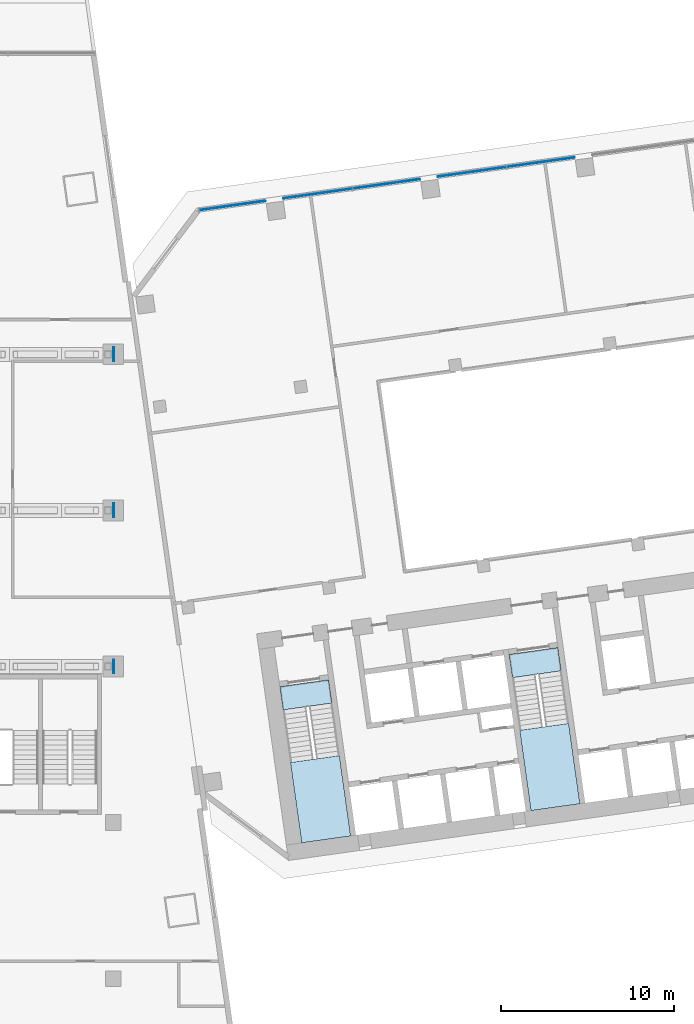
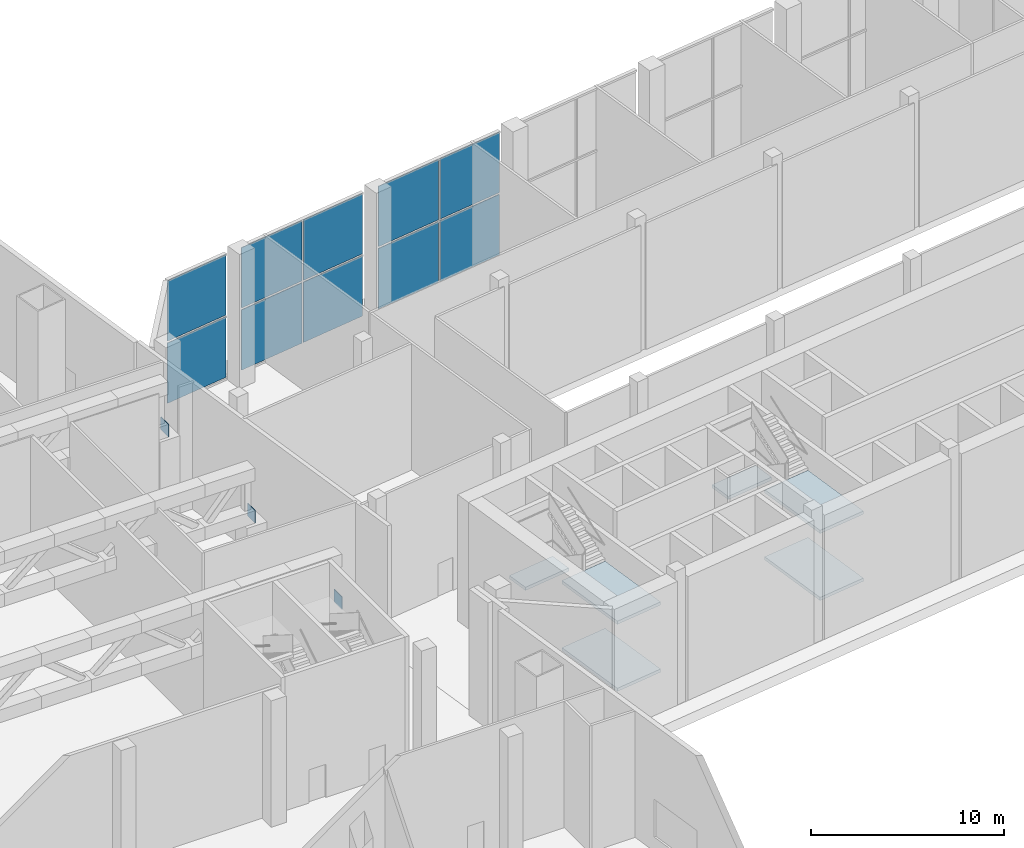
# One storey, part 15 of 31: 13 plates, 6 slabs, 3 elements without a shape of their own.
"""IFC4 building model written with IfcOpenShell, lengths in metres."""

from ifc_helpers import new_model, si_unit, direction, frame, origin, origin_2d, place, context, subcontext, project, spatial, polyline, rectangle, outline, extrude, material, layer, layer_set, type_object, element, aggregate, save


model = new_model("IFC4")

# Units and contexts
model_context = context("Model", 3, precision=1e-05, world=origin(), true_north=direction((0.0, 1.0)))
body_context = subcontext(model_context, "Body", "Model", "MODEL_VIEW")
ifc_project = project(units=[si_unit("LENGTHUNIT", "METRE"), si_unit("AREAUNIT", "SQUARE_METRE"), si_unit("VOLUMEUNIT", "CUBIC_METRE"), si_unit("PLANEANGLEUNIT", "RADIAN"), si_unit("MASSUNIT", "GRAM", prefix="KILO")], contexts=[model_context])

# Site, building, storey
site_placement = place(None, origin())
site = spatial("IfcSite", under=ifc_project, at=site_placement, CompositionType="ELEMENT")
building_placement = place(site_placement, origin())
building = spatial("IfcBuilding", under=site, at=building_placement, Name="Mirante Cascada Hotel Towers", CompositionType="ELEMENT")
storey_placement = place(building_placement, frame((0.0, 0.0, 9.0)))
storey = spatial("IfcBuildingStorey", under=building, at=storey_placement, Name="L01", CompositionType="ELEMENT", Elevation=9.0)

# Curtain wall, plates
ifc_material_1 = material(Name="Aluminium mullion and transom frame with clear laminated glass", Category="aluminium")
curtain_wall_type = type_object("IfcCurtainWallType", Name="Podium curtain wall ECW3", PredefinedType="NOTDEFINED", material=ifc_material_1)
curtain_wall_placement = place(storey_placement, origin())
curtain_wall = element("IfcCurtainWall", 1, at=curtain_wall_placement, inside=storey, type_object=curtain_wall_type, Name="Front podium glazing T2 L01", PredefinedType="NOTDEFINED")
ifc_material_2 = material(Name="Clear laminated glass", Category="glass")
ifc_layer_1 = layer(ifc_material_2, 0.04)
ifc_layer_set_1 = layer_set([ifc_layer_1], Name="ECW3 glass panel 40")
plate_type_1 = type_object("IfcPlateType", Name="ECW3 glass panel 40", PredefinedType="CURTAIN_PANEL", material=ifc_layer_set_1)
plate_1_placement = place(storey_placement, frame((51.6612, 20.0795, 0.12), z_axis=(0.0, 0.0, 1.0), x_axis=(-0.9902681, -0.1391731, 0.0)))
plate_1 = element("IfcPlate", 2, at=plate_1_placement, type_object=plate_type_1, Name="ECW3 panel 10", PredefinedType="CURTAIN_PANEL", context=body_context, shape_type="SweptSolid", body=[
    extrude(rectangle(XDim=3.9134, YDim=0.04, at=origin_2d()), origin(), (0.0, 0.0, 1.0), 3.82),
])
plate_2_placement = place(storey_placement, frame((51.6612, 20.0795, 4.06), z_axis=(0.0, 0.0, 1.0), x_axis=(-0.9902681, -0.1391731, 0.0)))
plate_2 = element("IfcPlate", 3, at=plate_2_placement, type_object=plate_type_1, Name="ECW3 panel 10", PredefinedType="CURTAIN_PANEL", context=body_context, shape_type="SweptSolid", body=[
    extrude(rectangle(XDim=3.9134, YDim=0.04, at=origin_2d()), origin(), (0.0, 0.0, 1.0), 3.82),
])
plate_3_placement = place(storey_placement, frame((47.6804, 19.5201, 0.12), z_axis=(0.0, 0.0, 1.0), x_axis=(-0.9902681, -0.1391731, 0.0)))
plate_3 = element("IfcPlate", 4, at=plate_3_placement, type_object=plate_type_1, Name="ECW3 panel 11", PredefinedType="CURTAIN_PANEL", context=body_context, shape_type="SweptSolid", body=[
    extrude(rectangle(XDim=3.9666, YDim=0.04, at=origin_2d()), origin(), (0.0, 0.0, 1.0), 3.82),
])
plate_4_placement = place(storey_placement, frame((47.6804, 19.5201, 4.06), z_axis=(0.0, 0.0, 1.0), x_axis=(-0.9902681, -0.1391731, 0.0)))
plate_4 = element("IfcPlate", 5, at=plate_4_placement, type_object=plate_type_1, Name="ECW3 panel 11", PredefinedType="CURTAIN_PANEL", context=body_context, shape_type="SweptSolid", body=[
    extrude(rectangle(XDim=3.9666, YDim=0.04, at=origin_2d()), origin(), (0.0, 0.0, 1.0), 3.82),
])
plate_5_placement = place(storey_placement, frame((42.7576, 18.8282, 0.12), z_axis=(0.0, 0.0, 1.0), x_axis=(-0.9902681, -0.1391731, 0.0)))
plate_5 = element("IfcPlate", 6, at=plate_5_placement, type_object=plate_type_1, Name="ECW3 panel 12", PredefinedType="CURTAIN_PANEL", context=body_context, shape_type="SweptSolid", body=[
    extrude(rectangle(XDim=3.8956, YDim=0.04, at=origin_2d()), origin(), (0.0, 0.0, 1.0), 3.82),
])
plate_6_placement = place(storey_placement, frame((42.7576, 18.8282, 4.06), z_axis=(0.0, 0.0, 1.0), x_axis=(-0.9902681, -0.1391731, 0.0)))
plate_6 = element("IfcPlate", 7, at=plate_6_placement, type_object=plate_type_1, Name="ECW3 panel 12", PredefinedType="CURTAIN_PANEL", context=body_context, shape_type="SweptSolid", body=[
    extrude(rectangle(XDim=3.8956, YDim=0.04, at=origin_2d()), origin(), (0.0, 0.0, 1.0), 3.82),
])
plate_7_placement = place(storey_placement, frame((38.7767, 18.2687, 0.12), z_axis=(0.0, 0.0, 1.0), x_axis=(-0.9902681, -0.1391731, 0.0)))
plate_7 = element("IfcPlate", 8, at=plate_7_placement, type_object=plate_type_1, Name="ECW3 panel 13", PredefinedType="CURTAIN_PANEL", context=body_context, shape_type="SweptSolid", body=[
    extrude(rectangle(XDim=3.9844, YDim=0.04, at=origin_2d()), origin(), (0.0, 0.0, 1.0), 3.82),
])
plate_8_placement = place(storey_placement, frame((38.7767, 18.2687, 4.06), z_axis=(0.0, 0.0, 1.0), x_axis=(-0.9902681, -0.1391731, 0.0)))
plate_8 = element("IfcPlate", 9, at=plate_8_placement, type_object=plate_type_1, Name="ECW3 panel 13", PredefinedType="CURTAIN_PANEL", context=body_context, shape_type="SweptSolid", body=[
    extrude(rectangle(XDim=3.9844, YDim=0.04, at=origin_2d()), origin(), (0.0, 0.0, 1.0), 3.82),
])
plate_9_placement = place(storey_placement, frame((33.8738, 17.5797, 0.12), z_axis=(0.0, 0.0, 1.0), x_axis=(-0.9902681, -0.1391731, 0.0)))
plate_9 = element("IfcPlate", 10, at=plate_9_placement, type_object=plate_type_1, Name="ECW3 panel 14", PredefinedType="CURTAIN_PANEL", context=body_context, shape_type="SweptSolid", body=[
    extrude(rectangle(XDim=3.8379, YDim=0.04, at=origin_2d()), origin(), (0.0, 0.0, 1.0), 3.82),
])
plate_10_placement = place(storey_placement, frame((33.8738, 17.5797, 4.06), z_axis=(0.0, 0.0, 1.0), x_axis=(-0.9902681, -0.1391731, 0.0)))
plate_10 = element("IfcPlate", 11, at=plate_10_placement, type_object=plate_type_1, Name="ECW3 panel 14", PredefinedType="CURTAIN_PANEL", context=body_context, shape_type="SweptSolid", body=[
    extrude(rectangle(XDim=3.8379, YDim=0.04, at=origin_2d()), origin(), (0.0, 0.0, 1.0), 3.82),
])
aggregate(curtain_wall, [plate_1, plate_2, plate_3, plate_4, plate_5, plate_6, plate_7, plate_8, plate_9, plate_10])

# Plates
ifc_material_3 = material(Name="Steel ASTM A572 Gr 50", Category="steel")
ifc_layer_2 = layer(ifc_material_3, 0.04)
ifc_layer_set_2 = layer_set([ifc_layer_2], Name="End plate 800x800x40 ASTM A572 Gr 50")
plate_type_2 = type_object("IfcPlateType", Name="End plate 800x800x40 ASTM A572 Gr 50", PredefinedType="SHEET", material=ifc_layer_set_2)
for number, where, z_axis, x_axis, name in (
    (12, (27.02, -9.0, 5.0), (0.0, 0.0, 1.0), (1.0, 0.0, 0.0), "End plate TB1"),
    (13, (27.02, 0.0, 5.0), (0.0, 0.0, 1.0), (1.0, 0.0, 0.0), "End plate TB2"),
    (14, (27.02, 9.0, 5.0), (0.0, 0.0, 1.0), (1.0, 0.0, 0.0), "End plate TB3"),
):
    element("IfcPlate", number, at=place(storey_placement, frame(where, z_axis=z_axis, x_axis=x_axis)), inside=storey, type_object=plate_type_2, Name=name, PredefinedType="SHEET", context=body_context, shape_type="SweptSolid", body=[
        extrude(rectangle(XDim=0.04, YDim=0.8, at=origin_2d()), origin(), (0.0, 0.0, 1.0), 0.8),
    ])

# Stair, slabs
ifc_material_4 = material(Name="Concrete C35/45", Category="concrete")
stair_type = type_object("IfcStairType", Name="Exit stair half-turn 1350 concrete C35/45", PredefinedType="HALF_TURN_STAIR", material=ifc_material_4)
stair_1_placement = place(storey_placement, origin())
stair_1 = element("IfcStair", 15, at=stair_1_placement, inside=storey, type_object=stair_type, Name="L01 Exit stair A", PredefinedType="HALF_TURN_STAIR")
ifc_material_5 = material(Name="Concrete C35/45", Category="concrete")
ifc_layer_3 = layer(ifc_material_5, 0.2)
ifc_layer_set_3 = layer_set([ifc_layer_3], Name="Exit stair landing 200 concrete C35/45")
slab_type = type_object("IfcSlabType", Name="Exit stair landing 200 concrete C35/45", PredefinedType="LANDING", material=ifc_layer_set_3)
slab_1_placement = place(storey_placement, frame((0.0, 0.0, 1.925)))
slab_1 = element("IfcSlab", 16, at=slab_1_placement, type_object=slab_type, Name="ST2-A landing 1", PredefinedType="LANDING", context=body_context, shape_type="SweptSolid", body=[
    extrude(outline(polyline([(37.2154, -14.5398), (37.8665, -19.1723), (40.6887, -18.7757), (40.0377, -14.1432), (37.2154, -14.5398)])), origin(), (0.0, 0.0, 1.0), 0.2),
])
slab_2_placement = place(storey_placement, frame((0.0, 0.0, 4.05)))
slab_2 = element("IfcSlab", 17, at=slab_2_placement, type_object=slab_type, Name="ST2-A landing 2", PredefinedType="LANDING", context=body_context, shape_type="SweptSolid", body=[
    extrude(outline(polyline([(36.6, -10.1609), (36.789, -11.5057), (39.6113, -11.109), (39.4223, -9.7642), (36.6, -10.1609)])), origin(), (0.0, 0.0, 1.0), 0.2),
])
slab_3_placement = place(storey_placement, frame((0.0, 0.0, 6.175)))
slab_3 = element("IfcSlab", 18, at=slab_3_placement, type_object=slab_type, Name="ST2-A landing 3", PredefinedType="LANDING", context=body_context, shape_type="SweptSolid", body=[
    extrude(outline(polyline([(37.2154, -14.5398), (37.8665, -19.1723), (40.6887, -18.7757), (40.0377, -14.1432), (37.2154, -14.5398)])), origin(), (0.0, 0.0, 1.0), 0.2),
])
aggregate(stair_1, [slab_1, slab_2, slab_3])

stair_2_placement = place(storey_placement, origin())
stair_2 = element("IfcStair", 19, at=stair_2_placement, inside=storey, type_object=stair_type, Name="L01 Exit stair B", PredefinedType="HALF_TURN_STAIR")
slab_4_placement = place(storey_placement, frame((0.0, 0.0, 1.925)))
slab_4 = element("IfcSlab", 20, at=slab_4_placement, type_object=slab_type, Name="ST2-B landing 1", PredefinedType="LANDING", context=body_context, shape_type="SweptSolid", body=[
    extrude(outline(polyline([(50.4355, -12.6819), (51.0866, -17.3144), (53.9088, -16.9177), (53.2578, -12.2852), (50.4355, -12.6819)])), origin(), (0.0, 0.0, 1.0), 0.2),
])
slab_5_placement = place(storey_placement, frame((0.0, 0.0, 4.05)))
slab_5 = element("IfcSlab", 21, at=slab_5_placement, type_object=slab_type, Name="ST2-B landing 2", PredefinedType="LANDING", context=body_context, shape_type="SweptSolid", body=[
    extrude(outline(polyline([(49.8201, -8.3029), (50.0091, -9.6477), (52.8313, -9.2511), (52.6423, -7.9063), (49.8201, -8.3029)])), origin(), (0.0, 0.0, 1.0), 0.2),
])
slab_6_placement = place(storey_placement, frame((0.0, 0.0, 6.175)))
slab_6 = element("IfcSlab", 22, at=slab_6_placement, type_object=slab_type, Name="ST2-B landing 3", PredefinedType="LANDING", context=body_context, shape_type="SweptSolid", body=[
    extrude(outline(polyline([(50.4355, -12.6819), (51.0866, -17.3144), (53.9088, -16.9177), (53.2578, -12.2852), (50.4355, -12.6819)])), origin(), (0.0, 0.0, 1.0), 0.2),
])
aggregate(stair_2, [slab_4, slab_5, slab_6])

save(model, "model.ifc")
